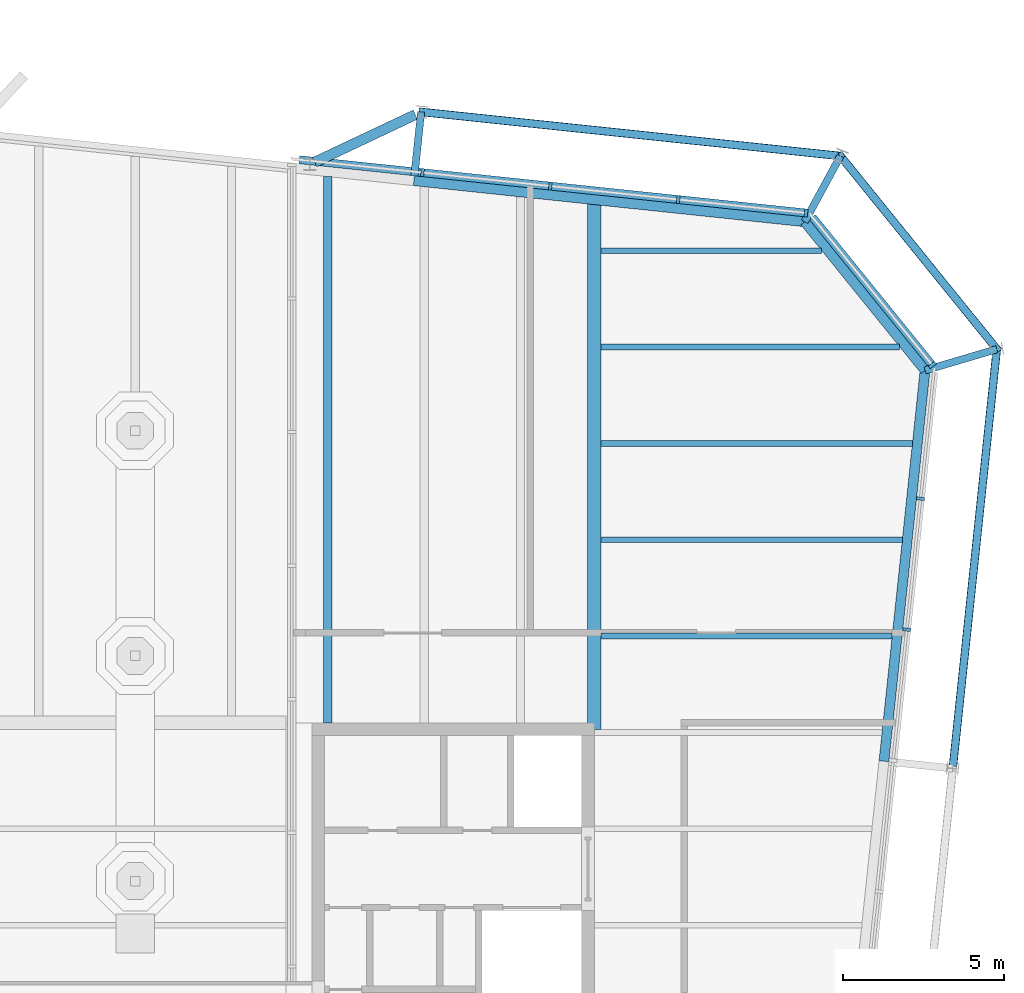
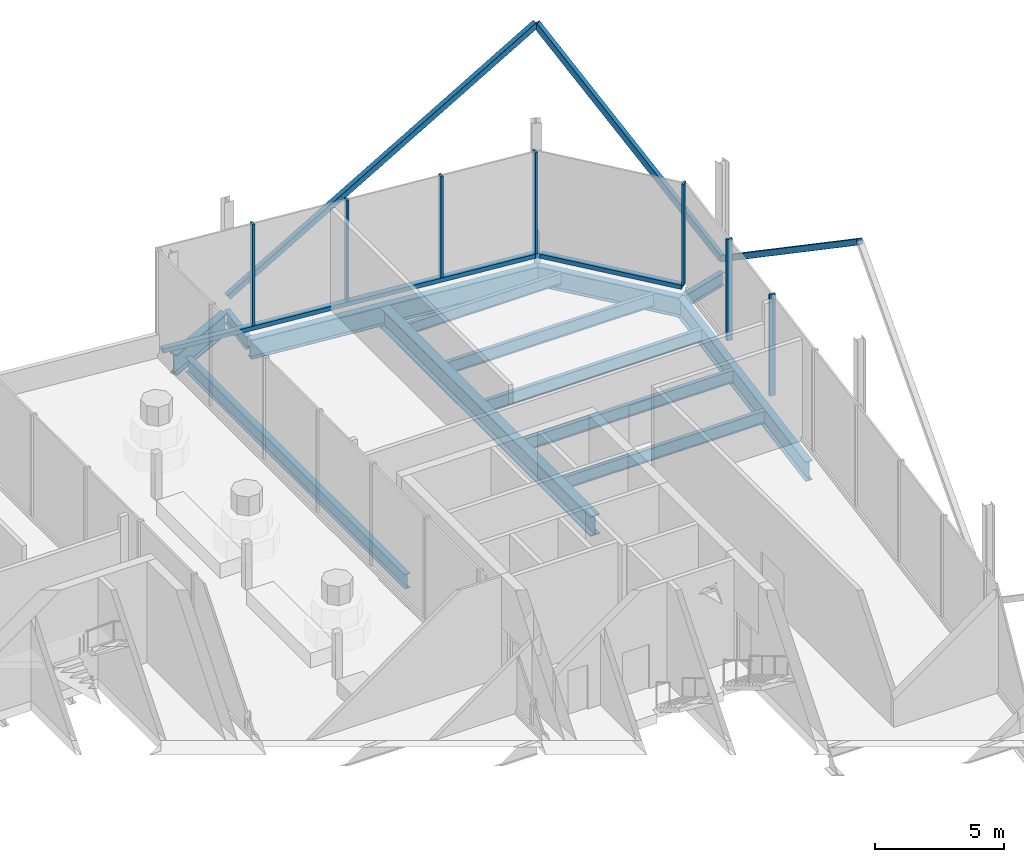
# One storey, part 7 of 14: 14 beams, 12 members, 3 elements without a shape of their own.
"""IFC4 building model written with IfcOpenShell, lengths in metres."""

from ifc_helpers import new_model, si_unit, direction, frame, origin, origin_2d, place, context, subcontext, project, spatial, rectangle, hollow_rectangle, i_section, extrude, material, layer, layer_set, material_profile, profile_set, type_object, element, aggregate, save


model = new_model("IFC4")

# Units and contexts
model_context = context("Model", 3, precision=1e-05, world=origin(), true_north=direction((0.0, 1.0)))
body_context = subcontext(model_context, "Body", "Model", "MODEL_VIEW")
ifc_project = project(units=[si_unit("LENGTHUNIT", "METRE"), si_unit("AREAUNIT", "SQUARE_METRE"), si_unit("VOLUMEUNIT", "CUBIC_METRE"), si_unit("PLANEANGLEUNIT", "RADIAN"), si_unit("MASSUNIT", "GRAM", prefix="KILO")], contexts=[model_context])

# Site, building, storey
site_placement = place(None, origin())
site = spatial("IfcSite", under=ifc_project, at=site_placement, CompositionType="ELEMENT")
building_placement = place(site_placement, origin())
building = spatial("IfcBuilding", under=site, at=building_placement, Name="Millrace Tower", CompositionType="ELEMENT")
storey_placement = place(building_placement, frame((0.0, 0.0, 342.10009765625)))
storey = spatial("IfcBuildingStorey", under=building, at=storey_placement, Name="L79", CompositionType="ELEMENT", Elevation=342.10009765625)

# Curtain wall, members
ifc_material_1 = material(Name="Aluminium and glass", Category="aluminium")
ifc_layer = layer(ifc_material_1, 0.25)
ifc_layer_set = layer_set([ifc_layer], Name="Aluminium and glass")
curtain_wall_type = type_object("IfcCurtainWallType", Name="CW-7 crown louvred enclosure", PredefinedType="NOTDEFINED", material=ifc_layer_set)
placement = place(storey_placement, origin())
curtain_wall_1 = element("IfcCurtainWall", 1, at=placement, inside=storey, type_object=curtain_wall_type, Name="Curtain wall CE-F04 L79", PredefinedType="NOTDEFINED")
ifc_material_2 = material(Name="Aluminium", Category="aluminium")
ifc_material_profile_1 = material_profile(ifc_material_2, rectangle(XDim=0.10009765625, YDim=0.25, at=origin_2d()))
ifc_profile_set_1 = profile_set([ifc_material_profile_1], Name="Aluminium")
member_type_1 = type_object("IfcMemberType", Name="CW-7 crown louvred enclosure mullion", PredefinedType="MULLION", material=ifc_profile_set_1)
member_1_placement = place(storey_placement, frame((24.0263671875, 12.202392578125, 0.199951171875), z_axis=(0.0, 0.0, 1.0), x_axis=(0.104528455196, 0.994521896217, 0.0)))
member_1 = element("IfcMember", 2, at=member_1_placement, type_object=member_type_1, Name="CW7 mullion CE-F04.8", PredefinedType="MULLION", context=body_context, shape_type="SweptSolid", body=[
    extrude(rectangle(XDim=0.10009765625, YDim=0.25, at=origin_2d()), origin(), (0.0, 0.0, 1.0), 4.800048828125),
])
member_2_placement = place(storey_placement, frame((24.454833984375, 16.280029296875, 0.199951171875), z_axis=(0.0, 0.0, 1.0), x_axis=(0.104528455196, 0.994521896217, 0.0)))
member_2 = element("IfcMember", 3, at=member_2_placement, type_object=member_type_1, Name="CW7 mullion CE-F04.9", PredefinedType="MULLION", context=body_context, shape_type="SweptSolid", body=[
    extrude(rectangle(XDim=0.10009765625, YDim=0.25, at=origin_2d()), origin(), (0.0, 0.0, 1.0), 4.800048828125),
])
aggregate(curtain_wall_1, [member_1, member_2])

# Curtain wall, member
curtain_wall_2 = element("IfcCurtainWall", 4, at=placement, inside=storey, type_object=curtain_wall_type, Name="Curtain wall CE-F05 L79", PredefinedType="NOTDEFINED")
member_3_placement = place(storey_placement, frame((24.819580078125, 20.4384765625, 0.199951171875), z_axis=(0.0, 0.0, 1.0), x_axis=(-0.629320278945, 0.777146052237, 0.0)))
member_3 = element("IfcMember", 5, at=member_3_placement, type_object=member_type_1, Name="CW7 mullion CE-F05.1", PredefinedType="MULLION", context=body_context, shape_type="SweptSolid", body=[
    extrude(rectangle(XDim=0.10009765625, YDim=0.25, at=origin_2d()), origin(), (0.0, 0.0, 1.0), 4.800048828125),
])

# Curtain wall, members
curtain_wall_3 = element("IfcCurtainWall", 6, at=placement, inside=storey, type_object=curtain_wall_type, Name="Curtain wall CE-F06 L79", PredefinedType="NOTDEFINED")
member_4_placement = place(storey_placement, frame((20.890380859375, 25.17626953125, 0.199951171875), z_axis=(0.0, 0.0, 1.0), x_axis=(-0.994521896083, 0.104528456463, 0.0)))
member_4 = element("IfcMember", 7, at=member_4_placement, type_object=member_type_1, Name="CW7 mullion CE-F06.1", PredefinedType="MULLION", context=body_context, shape_type="SweptSolid", body=[
    extrude(rectangle(XDim=0.10009765625, YDim=0.25, at=origin_2d()), origin(), (0.0, 0.0, 1.0), 4.800048828125),
])
member_5_placement = place(storey_placement, frame((16.908447265625, 25.594970703125, 0.199951171875), z_axis=(0.0, 0.0, 1.0), x_axis=(-0.994521896083, 0.104528456463, 0.0)))
member_5 = element("IfcMember", 8, at=member_5_placement, type_object=member_type_1, Name="CW7 mullion CE-F06.2", PredefinedType="MULLION", context=body_context, shape_type="SweptSolid", body=[
    extrude(rectangle(XDim=0.10009765625, YDim=0.25, at=origin_2d()), origin(), (0.0, 0.0, 1.0), 4.800048828125),
])
member_6_placement = place(storey_placement, frame((12.9267578125, 26.013427734375, 0.199951171875), z_axis=(0.0, 0.0, 1.0), x_axis=(-0.994521896083, 0.104528456463, 0.0)))
member_6 = element("IfcMember", 9, at=member_6_placement, type_object=member_type_1, Name="CW7 mullion CE-F06.3", PredefinedType="MULLION", context=body_context, shape_type="SweptSolid", body=[
    extrude(rectangle(XDim=0.10009765625, YDim=0.25, at=origin_2d()), origin(), (0.0, 0.0, 1.0), 4.800048828125),
])
member_7_placement = place(storey_placement, frame((8.945068359375, 26.431884765625, 0.199951171875), z_axis=(0.0, 0.0, 1.0), x_axis=(-0.994521896083, 0.104528456463, 0.0)))
member_7 = element("IfcMember", 10, at=member_7_placement, type_object=member_type_1, Name="CW7 mullion CE-F06.4", PredefinedType="MULLION", context=body_context, shape_type="SweptSolid", body=[
    extrude(rectangle(XDim=0.10009765625, YDim=0.25, at=origin_2d()), origin(), (0.0, 0.0, 1.0), 4.800048828125),
])

# Member
ifc_material_3 = material(Name="Aluminium", Category="aluminium")
ifc_material_profile_2 = material_profile(ifc_material_3, rectangle(XDim=0.25, YDim=0.199951171875, at=origin_2d()))
ifc_profile_set_2 = profile_set([ifc_material_profile_2], Name="Aluminium")
member_type_2 = type_object("IfcMemberType", Name="CW-7 crown louvred enclosure transom", PredefinedType="USERDEFINED", material=ifc_profile_set_2)
member_8_placement = place(storey_placement, frame((24.7880859375, 20.477294921875, 0.099853515625), z_axis=(-0.629321221277, 0.777145289151, 0.0), x_axis=(-0.777145289151, -0.629321221277, 0.0)))
member_8 = element("IfcMember", 11, at=member_8_placement, type_object=member_type_2, Name="CW7 transom CE-F05.1", ObjectType="TRANSOM", PredefinedType="USERDEFINED", context=body_context, shape_type="SweptSolid", body=[
    extrude(rectangle(XDim=0.25, YDim=0.199951171875, at=origin_2d()), origin(), (0.0, 0.0, 1.0), 5.881103515625),
])

aggregate(curtain_wall_2, [member_3, member_8])

member_9_placement = place(storey_placement, frame((20.840576171875, 25.181640625, 0.099853515625), z_axis=(-0.99452193556, 0.104528080868, 0.0), x_axis=(-0.104528080868, -0.99452193556, 0.0)))
member_9 = element("IfcMember", 12, at=member_9_placement, type_object=member_type_2, Name="CW7 transom CE-F06.1", ObjectType="TRANSOM", PredefinedType="USERDEFINED", context=body_context, shape_type="SweptSolid", body=[
    extrude(rectangle(XDim=0.25, YDim=0.199951171875, at=origin_2d()), origin(), (0.0, 0.0, 1.0), 15.814697265625),
])

aggregate(curtain_wall_3, [member_4, member_5, member_6, member_7, member_9])

# Members
ifc_material_4 = material(Name="Steel ASTM A500 Grade C", Category="steel")
ifc_material_profile_3 = material_profile(ifc_material_4, hollow_rectangle(XDim=0.25390625, YDim=0.25390625, WallThickness=0.009521484375, InnerFilletRadius=0.004638671875, OuterFilletRadius=0.014404296875, at=origin_2d()))
ifc_profile_set_3 = profile_set([ifc_material_profile_3], Name="Steel ASTM A500 Grade C")
member_type_3 = type_object("IfcMemberType", Name="Exoskeleton brace HSS10x10x3/8", PredefinedType="BRACE", material=ifc_profile_set_3)
member_10_placement = place(storey_placement, frame((26.82958984375, 20.935791015625, 0.39990234375), z_axis=(-0.085602921275, -0.814453696815, 0.57387918207), x_axis=(0.994521846076, -0.104528932251, 0.0)))
element("IfcMember", 13, at=member_10_placement, inside=storey, type_object=member_type_3, Name="BRC-CROWN-L79-08", PredefinedType="BRACE", context=body_context, shape_type="SweptSolid", body=[
    extrude(hollow_rectangle(XDim=0.25390625, YDim=0.25390625, WallThickness=0.009521484375, InnerFilletRadius=0.004638671875, OuterFilletRadius=0.014404296875, at=origin_2d()), origin(), (0.0, 0.0, 1.0), 16.03125),
])
member_11_placement = place(storey_placement, frame((26.82958984375, 20.935791015625, 0.39990234375), z_axis=(-0.405080517336, 0.500227525444, 0.765298763401), x_axis=(-0.777142728993, -0.62932438279, 0.0)))
element("IfcMember", 14, at=member_11_placement, inside=storey, type_object=member_type_3, Name="BRC-CROWN-L79-09", PredefinedType="BRACE", context=body_context, shape_type="SweptSolid", body=[
    extrude(hollow_rectangle(XDim=0.25390625, YDim=0.25390625, WallThickness=0.009521484375, InnerFilletRadius=0.004638671875, OuterFilletRadius=0.014404296875, at=origin_2d()), origin(), (0.0, 0.0, 1.0), 12.021484375),
])
member_12_placement = place(storey_placement, frame((8.9033203125, 28.321533203125, 0.39990234375), z_axis=(0.814453696815, -0.085602921275, 0.57387918207), x_axis=(0.104528932251, 0.994521846076, 0.0)))
element("IfcMember", 15, at=member_12_placement, inside=storey, type_object=member_type_3, Name="BRC-CROWN-L79-10", PredefinedType="BRACE", context=body_context, shape_type="SweptSolid", body=[
    extrude(hollow_rectangle(XDim=0.25390625, YDim=0.25390625, WallThickness=0.009521484375, InnerFilletRadius=0.004638671875, OuterFilletRadius=0.014404296875, at=origin_2d()), origin(), (0.0, 0.0, 1.0), 16.03125),
])

# Beams
ifc_material_5 = material(Name="Steel ASTM A992 Grade 50", Category="steel")
ifc_material_profile_4 = material_profile(ifc_material_5, i_section(OverallWidth=0.1650390625, OverallDepth=0.52587890625, WebThickness=0.0087890625, FlangeThickness=0.011474609375, FilletRadius=0.0126953125, at=origin_2d()))
ifc_profile_set_4 = profile_set([ifc_material_profile_4], Name="Steel ASTM A992 Grade 50")
beam_type_1 = type_object("IfcBeamType", Name="Floor beam W21x44", PredefinedType="JOIST", material=ifc_profile_set_4)
beam_1_placement = place(storey_placement, frame((14.509521484375, 24.0, -0.462890625), z_axis=(1.0, 0.0, 0.0), x_axis=(0.0, 1.0, 0.0)))
element("IfcBeam", 16, at=beam_1_placement, inside=storey, type_object=beam_type_1, Name="BM-CROWN-L79-S1-S034", PredefinedType="JOIST", context=body_context, shape_type="SweptSolid", body=[
    extrude(i_section(OverallWidth=0.1650390625, OverallDepth=0.52587890625, WebThickness=0.0087890625, FlangeThickness=0.011474609375, FilletRadius=0.0126953125, at=origin_2d()), origin(), (0.0, 0.0, 1.0), 6.861572265625),
])
ifc_material_6 = material(Name="Steel ASTM A992 Grade 50", Category="steel")
ifc_material_profile_5 = material_profile(ifc_material_6, i_section(OverallWidth=0.177978515625, OverallDepth=0.599365234375, WebThickness=0.010009765625, FlangeThickness=0.012939453125, FilletRadius=0.012939453125, at=origin_2d()))
ifc_profile_set_5 = profile_set([ifc_material_profile_5], Name="Steel ASTM A992 Grade 50")
beam_type_2 = type_object("IfcBeamType", Name="Floor beam W24x55", PredefinedType="JOIST", material=ifc_profile_set_5)
beam_2_placement = place(storey_placement, frame((14.509521484375, 12.0, -0.499755859375), z_axis=(1.0, 0.0, 0.0), x_axis=(0.0, 1.0, 0.0)))
element("IfcBeam", 17, at=beam_2_placement, inside=storey, type_object=beam_type_2, Name="BM-CROWN-L79-S1-S026", PredefinedType="JOIST", context=body_context, shape_type="SweptSolid", body=[
    extrude(i_section(OverallWidth=0.177978515625, OverallDepth=0.599365234375, WebThickness=0.010009765625, FlangeThickness=0.012939453125, FilletRadius=0.012939453125, at=origin_2d()), origin(), (0.0, 0.0, 1.0), 9.060791015625),
])
beam_3_placement = place(storey_placement, frame((14.509521484375, 15.0, -0.499755859375), z_axis=(1.0, 0.0, 0.0), x_axis=(0.0, 1.0, 0.0)))
element("IfcBeam", 18, at=beam_3_placement, inside=storey, type_object=beam_type_2, Name="BM-CROWN-L79-S1-S028", PredefinedType="JOIST", context=body_context, shape_type="SweptSolid", body=[
    extrude(i_section(OverallWidth=0.177978515625, OverallDepth=0.599365234375, WebThickness=0.010009765625, FlangeThickness=0.012939453125, FilletRadius=0.012939453125, at=origin_2d()), origin(), (0.0, 0.0, 1.0), 9.376220703125),
])
beam_4_placement = place(storey_placement, frame((14.509521484375, 18.0, -0.499755859375), z_axis=(1.0, 0.0, 0.0), x_axis=(0.0, 1.0, 0.0)))
element("IfcBeam", 19, at=beam_4_placement, inside=storey, type_object=beam_type_2, Name="BM-CROWN-L79-S1-S030", PredefinedType="JOIST", context=body_context, shape_type="SweptSolid", body=[
    extrude(i_section(OverallWidth=0.177978515625, OverallDepth=0.599365234375, WebThickness=0.010009765625, FlangeThickness=0.012939453125, FilletRadius=0.012939453125, at=origin_2d()), origin(), (0.0, 0.0, 1.0), 9.69140625),
])
beam_5_placement = place(storey_placement, frame((14.509521484375, 21.0, -0.499755859375), z_axis=(1.0, 0.0, 0.0), x_axis=(0.0, 1.0, 0.0)))
element("IfcBeam", 20, at=beam_5_placement, inside=storey, type_object=beam_type_2, Name="BM-CROWN-L79-S1-S032", PredefinedType="JOIST", context=body_context, shape_type="SweptSolid", body=[
    extrude(i_section(OverallWidth=0.177978515625, OverallDepth=0.599365234375, WebThickness=0.010009765625, FlangeThickness=0.012939453125, FilletRadius=0.012939453125, at=origin_2d()), origin(), (0.0, 0.0, 1.0), 9.282958984375),
])
ifc_material_7 = material(Name="Steel ASTM A992 Grade 50", Category="steel")
ifc_material_profile_6 = material_profile(ifc_material_7, i_section(OverallWidth=0.256591796875, OverallDepth=0.693359375, WebThickness=0.014404296875, FlangeThickness=0.023681640625, FilletRadius=0.01513671875, at=origin_2d()))
ifc_profile_set_6 = profile_set([ifc_material_profile_6], Name="Steel ASTM A992 Grade 50")
beam_type_3 = type_object("IfcBeamType", Name="Floor beam W27x114", PredefinedType="JOIST", material=ifc_profile_set_6)
beam_6_placement = place(storey_placement, frame((6.0, 9.300048828125, -0.546875), z_axis=(0.0, 1.0, 0.0), x_axis=(-1.0, 0.0, 0.0)))
element("IfcBeam", 21, at=beam_6_placement, inside=storey, type_object=beam_type_3, Name="BM-CROWN-L79-S1-S048", PredefinedType="JOIST", context=body_context, shape_type="SweptSolid", body=[
    extrude(i_section(OverallWidth=0.256591796875, OverallDepth=0.693359375, WebThickness=0.014404296875, FlangeThickness=0.023681640625, FilletRadius=0.01513671875, at=origin_2d()), origin(), (0.0, 0.0, 1.0), 17.006591796875),
])
ifc_material_8 = material(Name="Steel ASTM A992 Grade 50", Category="steel")
ifc_material_profile_7 = material_profile(ifc_material_8, i_section(OverallWidth=0.424072265625, OverallDepth=0.947509765625, WebThickness=0.02392578125, FlangeThickness=0.042724609375, FilletRadius=0.024169921875, at=origin_2d()))
ifc_profile_set_7 = profile_set([ifc_material_profile_7], Name="Steel ASTM A992 Grade 50")
beam_type_4 = type_object("IfcBeamType", Name="Girder medium span W36x302", PredefinedType="BEAM", material=ifc_profile_set_7)
beam_7_placement = place(storey_placement, frame((14.300048828125, 9.092041015625, -0.673828125), z_axis=(0.0, 1.0, 0.0), x_axis=(-1.0, 0.0, 0.0)))
element("IfcBeam", 22, at=beam_7_placement, inside=storey, type_object=beam_type_4, Name="BM-CROWN-L79-S1-G056", PredefinedType="BEAM", context=body_context, shape_type="SweptSolid", body=[
    extrude(i_section(OverallWidth=0.424072265625, OverallDepth=0.947509765625, WebThickness=0.02392578125, FlangeThickness=0.042724609375, FilletRadius=0.024169921875, at=origin_2d()), origin(), (0.0, 0.0, 1.0), 16.34228515625),
])
ifc_material_9 = material(Name="Steel ASTM A992 Grade 50", Category="steel")
ifc_material_profile_8 = material_profile(ifc_material_9, i_section(OverallWidth=0.322509765625, OverallDepth=0.9931640625, WebThickness=0.0361328125, FlangeThickness=0.06494140625, FilletRadius=0.01904296875, at=origin_2d()))
ifc_profile_set_8 = profile_set([ifc_material_profile_8], Name="Steel ASTM A992 Grade 50")
beam_type_5 = type_object("IfcBeamType", Name="Girder transfer short span W36x387", PredefinedType="BEAM", material=ifc_profile_set_8)
beam_8_placement = place(storey_placement, frame((8.725341796875, 28.237548828125, -0.69677734375), z_axis=(-0.904164774752, -0.427183871533, 0.0), x_axis=(0.427183871533, -0.904164774752, 0.0)))
element("IfcBeam", 23, at=beam_8_placement, inside=storey, type_object=beam_type_5, Name="BM-CROWN-L79-SE-GP01", PredefinedType="BEAM", context=body_context, shape_type="SweptSolid", body=[
    extrude(i_section(OverallWidth=0.322509765625, OverallDepth=0.9931640625, WebThickness=0.0361328125, FlangeThickness=0.06494140625, FilletRadius=0.01904296875, at=origin_2d()), origin(), (0.0, 0.0, 1.0), 3.46630859375),
])
ifc_material_10 = material(Name="Steel ASTM A992 Grade 50", Category="steel")
ifc_material_profile_9 = material_profile(ifc_material_10, i_section(OverallWidth=0.23046875, OverallDepth=0.6171875, WebThickness=0.01318359375, FlangeThickness=0.022216796875, FilletRadius=0.012939453125, at=origin_2d()))
ifc_profile_set_9 = profile_set([ifc_material_profile_9], Name="Steel ASTM A992 Grade 50")
beam_type_6 = type_object("IfcBeamType", Name="Link beam W24x94", PredefinedType="BEAM", material=ifc_profile_set_9)
beam_9_placement = place(storey_placement, frame((8.6943359375, 26.33251953125, -0.5087890625), z_axis=(0.104494148666, 0.99452550138, 0.0), x_axis=(-0.99452550138, 0.104494148666, 0.0)))
element("IfcBeam", 24, at=beam_9_placement, inside=storey, type_object=beam_type_6, Name="LNK-CROWN-L79-S1-06", PredefinedType="BEAM", context=body_context, shape_type="SweptSolid", body=[
    extrude(i_section(OverallWidth=0.23046875, OverallDepth=0.6171875, WebThickness=0.01318359375, FlangeThickness=0.022216796875, FilletRadius=0.012939453125, at=origin_2d()), origin(), (0.0, 0.0, 1.0), 2.0),
])
for number, where, z_axis, x_axis, name in (
    (25, (20.84765625, 24.900634765625, -0.5087890625), (0.477163510307, 0.87881453358, 0.0), (-0.87881453358, 0.477163510307, 0.0), "LNK-CROWN-L79-S1-07"),
    (26, (24.594482421875, 20.273681640625, -0.5087890625), (0.958815015936, 0.284031275065, 0.0), (-0.284031275065, 0.958815015936, 0.0), "LNK-CROWN-L79-S1-08"),
):
    element("IfcBeam", number, at=place(storey_placement, frame(where, z_axis=z_axis, x_axis=x_axis)), inside=storey, type_object=beam_type_6, Name=name, PredefinedType="BEAM", context=body_context, shape_type="SweptSolid", body=[
        extrude(i_section(OverallWidth=0.23046875, OverallDepth=0.6171875, WebThickness=0.01318359375, FlangeThickness=0.022216796875, FilletRadius=0.012939453125, at=origin_2d()), origin(), (0.0, 0.0, 1.0), 2.3310546875),
    ])
ifc_material_11 = material(Name="Steel ASTM A992 Grade 50", Category="steel")
ifc_material_profile_10 = material_profile(ifc_material_11, i_section(OverallWidth=0.307373046875, OverallDepth=0.927001953125, WebThickness=0.01953125, FlangeThickness=0.031982421875, FilletRadius=0.01904296875, at=origin_2d()))
ifc_profile_set_10 = profile_set([ifc_material_profile_10], Name="Steel ASTM A992 Grade 50")
beam_type_7 = type_object("IfcBeamType", Name="Ring beam medium span W36x194", PredefinedType="SPANDREL", material=ifc_profile_set_10)
for number, where, z_axis, x_axis, name in (
    (27, (8.67822265625, 26.1796875, -0.66357421875), (0.994521948696, -0.104527955888, 0.0), (0.104527955888, 0.994521948696, 0.0), "RNG-CROWN-L79-S1-06"),
    (28, (24.594482421875, 20.273681640625, -0.66357421875), (-0.104527955888, -0.994521948696, 0.0), (0.994521948696, -0.104527955888, 0.0), "RNG-CROWN-L79-S1-08"),
):
    element("IfcBeam", number, at=place(storey_placement, frame(where, z_axis=z_axis, x_axis=x_axis)), inside=storey, type_object=beam_type_7, Name=name, PredefinedType="SPANDREL", context=body_context, shape_type="SweptSolid", body=[
        extrude(i_section(OverallWidth=0.307373046875, OverallDepth=0.927001953125, WebThickness=0.01953125, FlangeThickness=0.031982421875, FilletRadius=0.01904296875, at=origin_2d()), origin(), (0.0, 0.0, 1.0), 12.236572265625),
    ])
ifc_material_12 = material(Name="Steel ASTM A992 Grade 50", Category="steel")
ifc_material_profile_11 = material_profile(ifc_material_12, i_section(OverallWidth=0.307373046875, OverallDepth=0.927001953125, WebThickness=0.01953125, FlangeThickness=0.031982421875, FilletRadius=0.01904296875, at=origin_2d()))
ifc_profile_set_11 = profile_set([ifc_material_profile_11], Name="Steel ASTM A992 Grade 50")
beam_type_8 = type_object("IfcBeamType", Name="Ring beam short span W36x194", PredefinedType="SPANDREL", material=ifc_profile_set_11)
beam_10_placement = place(storey_placement, frame((20.84765625, 24.900634765625, -0.66357421875), z_axis=(0.629319722443, -0.777146502883, 0.0), x_axis=(0.777146502883, 0.629319722443, 0.0)))
element("IfcBeam", 29, at=beam_10_placement, inside=storey, type_object=beam_type_8, Name="RNG-CROWN-L79-S1-07", PredefinedType="SPANDREL", context=body_context, shape_type="SweptSolid", body=[
    extrude(i_section(OverallWidth=0.307373046875, OverallDepth=0.927001953125, WebThickness=0.01953125, FlangeThickness=0.031982421875, FilletRadius=0.01904296875, at=origin_2d()), origin(), (0.0, 0.0, 1.0), 5.953857421875),
])

save(model, "model.ifc")
